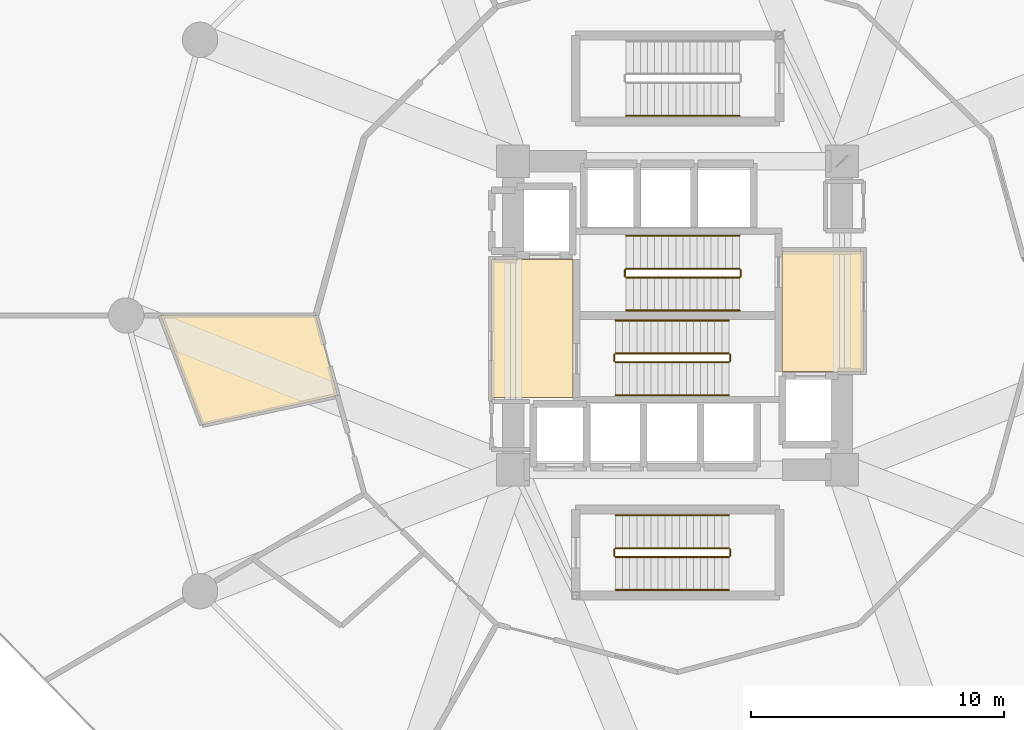
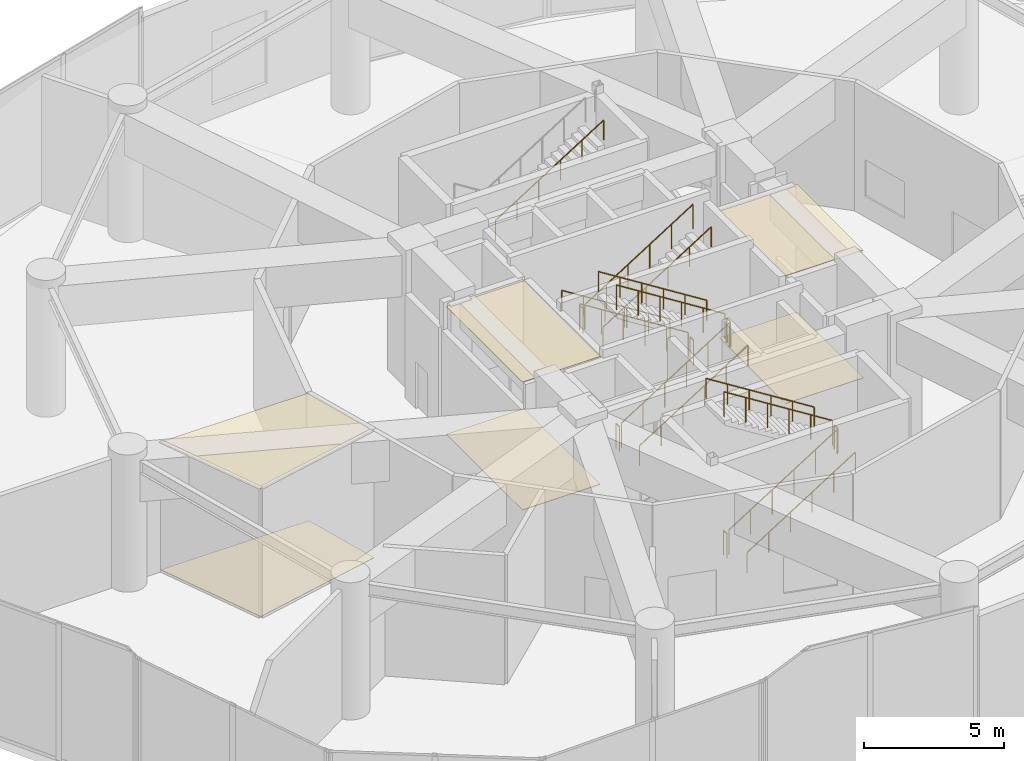
# One storey, part 26 of 28: 19 railings, 6 coverings.
"""IFC4 building model written with IfcOpenShell, lengths in metres."""

from ifc_helpers import new_model, si_unit, direction, frame, origin, origin_2d, place, context, subcontext, project, spatial, polyline, circle, outline, extrude, material, layer, layer_set, type_object, element, save


model = new_model("IFC4")

# Units and contexts
model_context = context("Model", 3, precision=1e-05, world=origin(), true_north=direction((0.0, 1.0)))
body_context = subcontext(model_context, "Body", "Model", "MODEL_VIEW")
ifc_project = project(units=[si_unit("LENGTHUNIT", "METRE"), si_unit("AREAUNIT", "SQUARE_METRE"), si_unit("VOLUMEUNIT", "CUBIC_METRE"), si_unit("PLANEANGLEUNIT", "RADIAN"), si_unit("MASSUNIT", "GRAM", prefix="KILO")], contexts=[model_context])

# Site, building, storey
site_placement = place(None, origin())
site = spatial("IfcSite", under=ifc_project, at=site_placement, CompositionType="ELEMENT")
building_placement = place(site_placement, origin())
building = spatial("IfcBuilding", under=site, at=building_placement, Name="Solvirekh Grand Hotel", CompositionType="ELEMENT")
storey_placement = place(building_placement, frame((0.0, 0.0, 12.60009765625)))
storey = spatial("IfcBuildingStorey", under=building, at=storey_placement, Name="L02", CompositionType="ELEMENT", Elevation=12.60009765625)

# Coverings
ifc_material_1 = material(Name="Acoustic Mineral Ceiling Tile")
ifc_layer_1 = layer(ifc_material_1, 0.02490234375)
ifc_layer_set_1 = layer_set([ifc_layer_1], Name="Acoustic Mineral Ceiling Tile")
covering_type_1 = type_object("IfcCoveringType", Name="Cov_Ceiling_Acoustic", PredefinedType="CEILING", material=ifc_layer_set_1)
covering_1_placement = place(storey_placement, frame((0.0, 0.0, 5.58984375)))
element("IfcCovering", 1, at=covering_1_placement, inside=storey, type_object=covering_type_1, Name="L02 Firefighting Lobby West acoustic ceiling", PredefinedType="CEILING", context=body_context, shape_type="SweptSolid", body=[
    extrude(outline(polyline([(-7.35009765625, -3.25), (-4.1298828125, -3.25), (-4.1298828125, 2.2099609375), (-7.35009765625, 2.2099609375), (-7.35009765625, -3.25)])), origin(), (0.0, 0.0, 1.0), 0.01806640625),
])
covering_2_placement = place(storey_placement, frame((0.0, 0.0, 5.58984375)))
element("IfcCovering", 2, at=covering_2_placement, inside=storey, type_object=covering_type_1, Name="L02 Firefighting Lobby East acoustic ceiling", PredefinedType="CEILING", context=body_context, shape_type="SweptSolid", body=[
    extrude(outline(polyline([(4.1298828125, -2.2099609375), (7.35009765625, -2.2099609375), (7.35009765625, 2.550048828125), (4.1298828125, 2.550048828125), (4.1298828125, -2.2099609375)])), origin(), (0.0, 0.0, 1.0), 0.01806640625),
])
covering_3_placement = place(storey_placement, frame((0.0, 0.0, 5.58984375)))
element("IfcCovering", 3, at=covering_3_placement, inside=storey, type_object=covering_type_1, Name="L02 Ballroom Accessible WC acoustic ceiling", PredefinedType="CEILING", context=body_context, shape_type="SweptSolid", body=[
    extrude(outline(polyline([(-20.43994140625, 0.0), (-18.794921875, -4.3310546875), (-13.43798828125, -3.172119140625), (-14.300048828125, 0.0), (-20.43994140625, 0.0)])), origin(), (0.0, 0.0, 1.0), 0.01806640625),
])
ifc_material_2 = material(Name="Porcelain Stoneware Flooring", Category="masonry")
ifc_layer_2 = layer(ifc_material_2, 0.030029296875)
ifc_layer_set_2 = layer_set([ifc_layer_2], Name="Porcelain Stoneware Flooring")
covering_type_2 = type_object("IfcCoveringType", Name="Cov_Floor_Stone", PredefinedType="FLOORING", material=ifc_layer_set_2)
covering_4_placement = place(storey_placement, origin())
element("IfcCovering", 4, at=covering_4_placement, inside=storey, type_object=covering_type_2, Name="L02 Firefighting Lobby West polished granite flooring", PredefinedType="FLOORING", context=body_context, shape_type="SweptSolid", body=[
    extrude(outline(polyline([(-7.35009765625, -3.25), (-4.1298828125, -3.25), (-4.1298828125, 2.2099609375), (-7.35009765625, 2.2099609375), (-7.35009765625, -3.25)])), origin(), (0.0, 0.0, 1.0), 0.02001953125),
])
covering_5_placement = place(storey_placement, origin())
element("IfcCovering", 5, at=covering_5_placement, inside=storey, type_object=covering_type_2, Name="L02 Firefighting Lobby East polished granite flooring", PredefinedType="FLOORING", context=body_context, shape_type="SweptSolid", body=[
    extrude(outline(polyline([(4.1298828125, -2.2099609375), (7.35009765625, -2.2099609375), (7.35009765625, 2.550048828125), (4.1298828125, 2.550048828125), (4.1298828125, -2.2099609375)])), origin(), (0.0, 0.0, 1.0), 0.02001953125),
])
covering_6_placement = place(storey_placement, origin())
element("IfcCovering", 6, at=covering_6_placement, inside=storey, type_object=covering_type_2, Name="L02 Ballroom Accessible WC polished granite flooring", PredefinedType="FLOORING", context=body_context, shape_type="SweptSolid", body=[
    extrude(outline(polyline([(-20.43994140625, 0.0), (-18.794921875, -4.3310546875), (-13.43798828125, -3.172119140625), (-14.300048828125, 0.0), (-20.43994140625, 0.0)])), origin(), (0.0, 0.0, 1.0), 0.02001953125),
])

# Railings
ifc_material_3 = material(Name="Steel S355", Category="steel")
railing_type_1 = type_object("IfcRailingType", Name="Guard_Stair_1100", PredefinedType="GUARDRAIL", material=ifc_material_3)
railing_1_placement = place(storey_placement, frame((-2.449951171875, -1.85009765625, 0.17626953125)))
element("IfcRailing", 7, at=railing_1_placement, inside=storey, type_object=railing_type_1, Name="L02 ST-1 stair guard 1", PredefinedType="GUARDRAIL", context=body_context, shape_type="SweptSolid", body=[
    extrude(circle(Radius=0.02392578125, at=origin_2d()), frame((0.0, 0.0, 1.076171875), z_axis=(0.845977142166, 0.0, 0.533219162196), x_axis=(0.0, 1.0, 0.0)), (0.0, 0.0, 1.0), 5.295654296875),
    extrude(circle(Radius=0.02099609375, at=origin_2d()), origin(), (0.0, 0.0, 1.0), 1.052001953125),
    extrude(circle(Radius=0.02099609375, at=origin_2d()), frame((0.89599609375, 0.0, 0.564697265625)), (0.0, 0.0, 1.0), 1.052001953125),
    extrude(circle(Radius=0.02099609375, at=origin_2d()), frame((1.7919921875, 0.0, 1.12939453125)), (0.0, 0.0, 1.0), 1.052001953125),
    extrude(circle(Radius=0.02099609375, at=origin_2d()), frame((2.68798828125, 0.0, 1.6943359375)), (0.0, 0.0, 1.0), 1.052001953125),
    extrude(circle(Radius=0.02099609375, at=origin_2d()), frame((3.583984375, 0.0, 2.259033203125)), (0.0, 0.0, 1.0), 1.052001953125),
    extrude(circle(Radius=0.02099609375, at=origin_2d()), frame((4.47998046875, 0.0, 2.82373046875)), (0.0, 0.0, 1.0), 1.052001953125),
])
railing_2_placement = place(storey_placement, frame((2.080078125, -1.800048828125, 3.0)))
element("IfcRailing", 8, at=railing_2_placement, inside=storey, type_object=railing_type_1, Name="L02 ST-1 stair guard 2", PredefinedType="GUARDRAIL", context=body_context, shape_type="SweptSolid", body=[
    extrude(circle(Radius=0.02392578125, at=origin_2d()), frame((0.0, 0.0, 1.076171875), z_axis=(0.0, 1.0, 0.0), x_axis=(-1.0, 0.0, 0.0)), (0.0, 0.0, 1.0), 0.25),
    extrude(circle(Radius=0.02099609375, at=origin_2d()), origin(), (0.0, 0.0, 1.0), 1.052001953125),
    extrude(circle(Radius=0.02099609375, at=origin_2d()), frame((0.0, 0.25, 0.0)), (0.0, 0.0, 1.0), 1.052001953125),
])
railing_3_placement = place(storey_placement, frame((2.030029296875, -1.5, 3.17626953125)))
element("IfcRailing", 9, at=railing_3_placement, inside=storey, type_object=railing_type_1, Name="L02 ST-1 stair guard 3", PredefinedType="GUARDRAIL", context=body_context, shape_type="SweptSolid", body=[
    extrude(circle(Radius=0.02392578125, at=origin_2d()), frame((0.0, 0.0, 1.076171875), z_axis=(-0.845977142166, 0.0, 0.533219162196), x_axis=(0.0, -1.0, 0.0)), (0.0, 0.0, 1.0), 5.295654296875),
    extrude(circle(Radius=0.02099609375, at=origin_2d()), origin(), (0.0, 0.0, 1.0), 1.052001953125),
    extrude(circle(Radius=0.02099609375, at=origin_2d()), frame((-0.89599609375, 0.0, 0.564697265625)), (0.0, 0.0, 1.0), 1.052001953125),
    extrude(circle(Radius=0.02099609375, at=origin_2d()), frame((-1.7919921875, 0.0, 1.12939453125)), (0.0, 0.0, 1.0), 1.052001953125),
    extrude(circle(Radius=0.02099609375, at=origin_2d()), frame((-2.68798828125, 0.0, 1.6943359375)), (0.0, 0.0, 1.0), 1.052001953125),
    extrude(circle(Radius=0.02099609375, at=origin_2d()), frame((-3.583984375, 0.0, 2.259033203125)), (0.0, 0.0, 1.0), 1.052001953125),
    extrude(circle(Radius=0.02099609375, at=origin_2d()), frame((-4.47998046875, 0.0, 2.82373046875)), (0.0, 0.0, 1.0), 1.052001953125),
])
railing_4_placement = place(storey_placement, frame((-2.5, -1.800048828125, 0.0)))
element("IfcRailing", 10, at=railing_4_placement, inside=storey, type_object=railing_type_1, Name="L02 ST-1 stair guard 4", PredefinedType="GUARDRAIL", context=body_context, shape_type="SweptSolid", body=[
    extrude(circle(Radius=0.02392578125, at=origin_2d()), frame((0.0, 0.0, 1.076171875), z_axis=(0.0, 1.0, 0.0), x_axis=(-1.0, 0.0, 0.0)), (0.0, 0.0, 1.0), 0.25),
    extrude(circle(Radius=0.02099609375, at=origin_2d()), origin(), (0.0, 0.0, 1.0), 1.052001953125),
    extrude(circle(Radius=0.02099609375, at=origin_2d()), frame((0.0, 0.25, 0.0)), (0.0, 0.0, 1.0), 1.052001953125),
])
railing_5_placement = place(storey_placement, frame((2.449951171875, 1.85009765625, 0.17626953125)))
element("IfcRailing", 11, at=railing_5_placement, inside=storey, type_object=railing_type_1, Name="L02 ST-2 stair guard 1", PredefinedType="GUARDRAIL", context=body_context, shape_type="SweptSolid", body=[
    extrude(circle(Radius=0.02392578125, at=origin_2d()), frame((0.0, 0.0, 1.076171875), z_axis=(-0.845977142166, 0.0, 0.533219162196), x_axis=(0.0, -1.0, 0.0)), (0.0, 0.0, 1.0), 5.295654296875),
    extrude(circle(Radius=0.02099609375, at=origin_2d()), origin(), (0.0, 0.0, 1.0), 1.052001953125),
    extrude(circle(Radius=0.02099609375, at=origin_2d()), frame((-0.89599609375, 0.0, 0.564697265625)), (0.0, 0.0, 1.0), 1.052001953125),
    extrude(circle(Radius=0.02099609375, at=origin_2d()), frame((-1.7919921875, 0.0, 1.12939453125)), (0.0, 0.0, 1.0), 1.052001953125),
    extrude(circle(Radius=0.02099609375, at=origin_2d()), frame((-2.68798828125, 0.0, 1.6943359375)), (0.0, 0.0, 1.0), 1.052001953125),
    extrude(circle(Radius=0.02099609375, at=origin_2d()), frame((-3.583984375, 0.0, 2.259033203125)), (0.0, 0.0, 1.0), 1.052001953125),
    extrude(circle(Radius=0.02099609375, at=origin_2d()), frame((-4.47998046875, 0.0, 2.82373046875)), (0.0, 0.0, 1.0), 1.052001953125),
])
railing_6_placement = place(storey_placement, frame((-2.080078125, 1.800048828125, 3.0)))
element("IfcRailing", 12, at=railing_6_placement, inside=storey, type_object=railing_type_1, Name="L02 ST-2 stair guard 2", PredefinedType="GUARDRAIL", context=body_context, shape_type="SweptSolid", body=[
    extrude(circle(Radius=0.02392578125, at=origin_2d()), frame((0.0, 0.0, 1.076171875), z_axis=(0.0, -1.0, 0.0), x_axis=(1.0, 0.0, 0.0)), (0.0, 0.0, 1.0), 0.25),
    extrude(circle(Radius=0.02099609375, at=origin_2d()), origin(), (0.0, 0.0, 1.0), 1.052001953125),
    extrude(circle(Radius=0.02099609375, at=origin_2d()), frame((0.0, -0.25, 0.0)), (0.0, 0.0, 1.0), 1.052001953125),
])
railing_7_placement = place(storey_placement, frame((-2.030029296875, 1.5, 3.17626953125)))
element("IfcRailing", 13, at=railing_7_placement, inside=storey, type_object=railing_type_1, Name="L02 ST-2 stair guard 3", PredefinedType="GUARDRAIL", context=body_context, shape_type="SweptSolid", body=[
    extrude(circle(Radius=0.02392578125, at=origin_2d()), frame((0.0, 0.0, 1.076171875), z_axis=(0.845977142166, 0.0, 0.533219162196), x_axis=(0.0, 1.0, 0.0)), (0.0, 0.0, 1.0), 5.295654296875),
    extrude(circle(Radius=0.02099609375, at=origin_2d()), origin(), (0.0, 0.0, 1.0), 1.052001953125),
    extrude(circle(Radius=0.02099609375, at=origin_2d()), frame((0.89599609375, 0.0, 0.564697265625)), (0.0, 0.0, 1.0), 1.052001953125),
    extrude(circle(Radius=0.02099609375, at=origin_2d()), frame((1.7919921875, 0.0, 1.12939453125)), (0.0, 0.0, 1.0), 1.052001953125),
    extrude(circle(Radius=0.02099609375, at=origin_2d()), frame((2.68798828125, 0.0, 1.6943359375)), (0.0, 0.0, 1.0), 1.052001953125),
    extrude(circle(Radius=0.02099609375, at=origin_2d()), frame((3.583984375, 0.0, 2.259033203125)), (0.0, 0.0, 1.0), 1.052001953125),
    extrude(circle(Radius=0.02099609375, at=origin_2d()), frame((4.47998046875, 0.0, 2.82373046875)), (0.0, 0.0, 1.0), 1.052001953125),
])
railing_8_placement = place(storey_placement, frame((2.5, 1.800048828125, 0.0)))
element("IfcRailing", 14, at=railing_8_placement, inside=storey, type_object=railing_type_1, Name="L02 ST-2 stair guard 4", PredefinedType="GUARDRAIL", context=body_context, shape_type="SweptSolid", body=[
    extrude(circle(Radius=0.02392578125, at=origin_2d()), frame((0.0, 0.0, 1.076171875), z_axis=(0.0, -1.0, 0.0), x_axis=(1.0, 0.0, 0.0)), (0.0, 0.0, 1.0), 0.25),
    extrude(circle(Radius=0.02099609375, at=origin_2d()), origin(), (0.0, 0.0, 1.0), 1.052001953125),
    extrude(circle(Radius=0.02099609375, at=origin_2d()), frame((0.0, -0.25, 0.0)), (0.0, 0.0, 1.0), 1.052001953125),
])
railing_9_placement = place(storey_placement, frame((-2.449951171875, -9.550048828125, 0.17626953125)))
element("IfcRailing", 15, at=railing_9_placement, inside=storey, type_object=railing_type_1, Name="L02 ST-3 stair guard 1", PredefinedType="GUARDRAIL", context=body_context, shape_type="SweptSolid", body=[
    extrude(circle(Radius=0.02392578125, at=origin_2d()), frame((0.0, 0.0, 1.076171875), z_axis=(0.845977142166, 0.0, 0.533219162196), x_axis=(0.0, 1.0, 0.0)), (0.0, 0.0, 1.0), 5.295654296875),
    extrude(circle(Radius=0.02099609375, at=origin_2d()), origin(), (0.0, 0.0, 1.0), 1.052001953125),
    extrude(circle(Radius=0.02099609375, at=origin_2d()), frame((0.89599609375, 0.0, 0.564697265625)), (0.0, 0.0, 1.0), 1.052001953125),
    extrude(circle(Radius=0.02099609375, at=origin_2d()), frame((1.7919921875, 0.0, 1.12939453125)), (0.0, 0.0, 1.0), 1.052001953125),
    extrude(circle(Radius=0.02099609375, at=origin_2d()), frame((2.68798828125, 0.0, 1.6943359375)), (0.0, 0.0, 1.0), 1.052001953125),
    extrude(circle(Radius=0.02099609375, at=origin_2d()), frame((3.583984375, 0.0, 2.259033203125)), (0.0, 0.0, 1.0), 1.052001953125),
    extrude(circle(Radius=0.02099609375, at=origin_2d()), frame((4.47998046875, 0.0, 2.82373046875)), (0.0, 0.0, 1.0), 1.052001953125),
])
railing_10_placement = place(storey_placement, frame((2.080078125, -9.5, 3.0)))
element("IfcRailing", 16, at=railing_10_placement, inside=storey, type_object=railing_type_1, Name="L02 ST-3 stair guard 2", PredefinedType="GUARDRAIL", context=body_context, shape_type="SweptSolid", body=[
    extrude(circle(Radius=0.02392578125, at=origin_2d()), frame((0.0, 0.0, 1.076171875), z_axis=(0.0, 1.0, 0.0), x_axis=(-1.0, 0.0, 0.0)), (0.0, 0.0, 1.0), 0.25),
    extrude(circle(Radius=0.02099609375, at=origin_2d()), origin(), (0.0, 0.0, 1.0), 1.052001953125),
    extrude(circle(Radius=0.02099609375, at=origin_2d()), frame((0.0, 0.25, 0.0)), (0.0, 0.0, 1.0), 1.052001953125),
])
railing_11_placement = place(storey_placement, frame((2.030029296875, -9.199951171875, 3.17626953125)))
element("IfcRailing", 17, at=railing_11_placement, inside=storey, type_object=railing_type_1, Name="L02 ST-3 stair guard 3", PredefinedType="GUARDRAIL", context=body_context, shape_type="SweptSolid", body=[
    extrude(circle(Radius=0.02392578125, at=origin_2d()), frame((0.0, 0.0, 1.076171875), z_axis=(-0.845977142166, 0.0, 0.533219162196), x_axis=(0.0, -1.0, 0.0)), (0.0, 0.0, 1.0), 5.295654296875),
    extrude(circle(Radius=0.02099609375, at=origin_2d()), origin(), (0.0, 0.0, 1.0), 1.052001953125),
    extrude(circle(Radius=0.02099609375, at=origin_2d()), frame((-0.89599609375, 0.0, 0.564697265625)), (0.0, 0.0, 1.0), 1.052001953125),
    extrude(circle(Radius=0.02099609375, at=origin_2d()), frame((-1.7919921875, 0.0, 1.12939453125)), (0.0, 0.0, 1.0), 1.052001953125),
    extrude(circle(Radius=0.02099609375, at=origin_2d()), frame((-2.68798828125, 0.0, 1.6943359375)), (0.0, 0.0, 1.0), 1.052001953125),
    extrude(circle(Radius=0.02099609375, at=origin_2d()), frame((-3.583984375, 0.0, 2.259033203125)), (0.0, 0.0, 1.0), 1.052001953125),
    extrude(circle(Radius=0.02099609375, at=origin_2d()), frame((-4.47998046875, 0.0, 2.82373046875)), (0.0, 0.0, 1.0), 1.052001953125),
])
railing_12_placement = place(storey_placement, frame((-2.5, -9.5, 0.0)))
element("IfcRailing", 18, at=railing_12_placement, inside=storey, type_object=railing_type_1, Name="L02 ST-3 stair guard 4", PredefinedType="GUARDRAIL", context=body_context, shape_type="SweptSolid", body=[
    extrude(circle(Radius=0.02392578125, at=origin_2d()), frame((0.0, 0.0, 1.076171875), z_axis=(0.0, 1.0, 0.0), x_axis=(-1.0, 0.0, 0.0)), (0.0, 0.0, 1.0), 0.25),
    extrude(circle(Radius=0.02099609375, at=origin_2d()), origin(), (0.0, 0.0, 1.0), 1.052001953125),
    extrude(circle(Radius=0.02099609375, at=origin_2d()), frame((0.0, 0.25, 0.0)), (0.0, 0.0, 1.0), 1.052001953125),
])
ifc_material_4 = material(Name="Anodized Bronze Aluminium 6063-T6", Category="aluminium")
railing_type_2 = type_object("IfcRailingType", Name="Handrail_Wall_900", PredefinedType="HANDRAIL", material=ifc_material_4)
railing_13_placement = place(storey_placement, frame((-2.449951171875, -3.14990234375, 0.17626953125)))
element("IfcRailing", 19, at=railing_13_placement, inside=storey, type_object=railing_type_2, Name="L02 ST-1 stair handrail 1", PredefinedType="HANDRAIL", context=body_context, shape_type="SweptSolid", body=[
    extrude(circle(Radius=0.02392578125, at=origin_2d()), frame((0.0, 0.0, 0.8759765625), z_axis=(0.845977142166, 0.0, 0.533219162196), x_axis=(0.0, 1.0, 0.0)), (0.0, 0.0, 1.0), 5.295654296875),
    extrude(circle(Radius=0.02099609375, at=origin_2d()), origin(), (0.0, 0.0, 1.0), 0.851806640625),
    extrude(circle(Radius=0.02099609375, at=origin_2d()), frame((0.89599609375, 0.0, 0.564697265625)), (0.0, 0.0, 1.0), 0.851806640625),
    extrude(circle(Radius=0.02099609375, at=origin_2d()), frame((1.7919921875, 0.0, 1.12939453125)), (0.0, 0.0, 1.0), 0.851806640625),
    extrude(circle(Radius=0.02099609375, at=origin_2d()), frame((2.68798828125, 0.0, 1.6943359375)), (0.0, 0.0, 1.0), 0.851806640625),
    extrude(circle(Radius=0.02099609375, at=origin_2d()), frame((3.583984375, 0.0, 2.259033203125)), (0.0, 0.0, 1.0), 0.851806640625),
    extrude(circle(Radius=0.02099609375, at=origin_2d()), frame((4.47998046875, 0.0, 2.82373046875)), (0.0, 0.0, 1.0), 0.851806640625),
])
for number, where, name in (
    (20, (2.030029296875, -0.199951171875, 3.17626953125), "L02 ST-1 stair handrail 2"),
    (21, (2.449951171875, 3.14990234375, 0.17626953125), "L02 ST-2 stair handrail 1"),
):
    element("IfcRailing", number, at=place(storey_placement, frame(where)), inside=storey, type_object=railing_type_2, Name=name, PredefinedType="HANDRAIL", context=body_context, shape_type="SweptSolid", body=[
        extrude(circle(Radius=0.02392578125, at=origin_2d()), frame((0.0, 0.0, 0.8759765625), z_axis=(-0.845977142166, 0.0, 0.533219162196), x_axis=(0.0, -1.0, 0.0)), (0.0, 0.0, 1.0), 5.295654296875),
        extrude(circle(Radius=0.02099609375, at=origin_2d()), origin(), (0.0, 0.0, 1.0), 0.851806640625),
        extrude(circle(Radius=0.02099609375, at=origin_2d()), frame((-0.89599609375, 0.0, 0.564697265625)), (0.0, 0.0, 1.0), 0.851806640625),
        extrude(circle(Radius=0.02099609375, at=origin_2d()), frame((-1.7919921875, 0.0, 1.12939453125)), (0.0, 0.0, 1.0), 0.851806640625),
        extrude(circle(Radius=0.02099609375, at=origin_2d()), frame((-2.68798828125, 0.0, 1.6943359375)), (0.0, 0.0, 1.0), 0.851806640625),
        extrude(circle(Radius=0.02099609375, at=origin_2d()), frame((-3.583984375, 0.0, 2.259033203125)), (0.0, 0.0, 1.0), 0.851806640625),
        extrude(circle(Radius=0.02099609375, at=origin_2d()), frame((-4.47998046875, 0.0, 2.82373046875)), (0.0, 0.0, 1.0), 0.851806640625),
    ])
for number, where, name in (
    (22, (-2.030029296875, 0.199951171875, 3.17626953125), "L02 ST-2 stair handrail 2"),
    (23, (-2.449951171875, -10.85009765625, 0.17626953125), "L02 ST-3 stair handrail 1"),
):
    element("IfcRailing", number, at=place(storey_placement, frame(where)), inside=storey, type_object=railing_type_2, Name=name, PredefinedType="HANDRAIL", context=body_context, shape_type="SweptSolid", body=[
        extrude(circle(Radius=0.02392578125, at=origin_2d()), frame((0.0, 0.0, 0.8759765625), z_axis=(0.845977142166, 0.0, 0.533219162196), x_axis=(0.0, 1.0, 0.0)), (0.0, 0.0, 1.0), 5.295654296875),
        extrude(circle(Radius=0.02099609375, at=origin_2d()), origin(), (0.0, 0.0, 1.0), 0.851806640625),
        extrude(circle(Radius=0.02099609375, at=origin_2d()), frame((0.89599609375, 0.0, 0.564697265625)), (0.0, 0.0, 1.0), 0.851806640625),
        extrude(circle(Radius=0.02099609375, at=origin_2d()), frame((1.7919921875, 0.0, 1.12939453125)), (0.0, 0.0, 1.0), 0.851806640625),
        extrude(circle(Radius=0.02099609375, at=origin_2d()), frame((2.68798828125, 0.0, 1.6943359375)), (0.0, 0.0, 1.0), 0.851806640625),
        extrude(circle(Radius=0.02099609375, at=origin_2d()), frame((3.583984375, 0.0, 2.259033203125)), (0.0, 0.0, 1.0), 0.851806640625),
        extrude(circle(Radius=0.02099609375, at=origin_2d()), frame((4.47998046875, 0.0, 2.82373046875)), (0.0, 0.0, 1.0), 0.851806640625),
    ])
railing_14_placement = place(storey_placement, frame((2.030029296875, -7.89990234375, 3.17626953125)))
element("IfcRailing", 24, at=railing_14_placement, inside=storey, type_object=railing_type_2, Name="L02 ST-3 stair handrail 2", PredefinedType="HANDRAIL", context=body_context, shape_type="SweptSolid", body=[
    extrude(circle(Radius=0.02392578125, at=origin_2d()), frame((0.0, 0.0, 0.8759765625), z_axis=(-0.845977142166, 0.0, 0.533219162196), x_axis=(0.0, -1.0, 0.0)), (0.0, 0.0, 1.0), 5.295654296875),
    extrude(circle(Radius=0.02099609375, at=origin_2d()), origin(), (0.0, 0.0, 1.0), 0.851806640625),
    extrude(circle(Radius=0.02099609375, at=origin_2d()), frame((-0.89599609375, 0.0, 0.564697265625)), (0.0, 0.0, 1.0), 0.851806640625),
    extrude(circle(Radius=0.02099609375, at=origin_2d()), frame((-1.7919921875, 0.0, 1.12939453125)), (0.0, 0.0, 1.0), 0.851806640625),
    extrude(circle(Radius=0.02099609375, at=origin_2d()), frame((-2.68798828125, 0.0, 1.6943359375)), (0.0, 0.0, 1.0), 0.851806640625),
    extrude(circle(Radius=0.02099609375, at=origin_2d()), frame((-3.583984375, 0.0, 2.259033203125)), (0.0, 0.0, 1.0), 0.851806640625),
    extrude(circle(Radius=0.02099609375, at=origin_2d()), frame((-4.47998046875, 0.0, 2.82373046875)), (0.0, 0.0, 1.0), 0.851806640625),
])
railing_15_placement = place(storey_placement, frame((-2.030029296875, 7.89990234375, 3.17626953125)))
element("IfcRailing", 25, at=railing_15_placement, inside=storey, type_object=railing_type_2, Name="L02 ST-4 stair handrail 2", PredefinedType="HANDRAIL", context=body_context, shape_type="SweptSolid", body=[
    extrude(circle(Radius=0.02392578125, at=origin_2d()), frame((0.0, 0.0, 0.8759765625), z_axis=(0.845977142166, 0.0, 0.533219162196), x_axis=(0.0, 1.0, 0.0)), (0.0, 0.0, 1.0), 5.295654296875),
    extrude(circle(Radius=0.02099609375, at=origin_2d()), origin(), (0.0, 0.0, 1.0), 0.851806640625),
    extrude(circle(Radius=0.02099609375, at=origin_2d()), frame((0.89599609375, 0.0, 0.564697265625)), (0.0, 0.0, 1.0), 0.851806640625),
    extrude(circle(Radius=0.02099609375, at=origin_2d()), frame((1.7919921875, 0.0, 1.12939453125)), (0.0, 0.0, 1.0), 0.851806640625),
    extrude(circle(Radius=0.02099609375, at=origin_2d()), frame((2.68798828125, 0.0, 1.6943359375)), (0.0, 0.0, 1.0), 0.851806640625),
    extrude(circle(Radius=0.02099609375, at=origin_2d()), frame((3.583984375, 0.0, 2.259033203125)), (0.0, 0.0, 1.0), 0.851806640625),
    extrude(circle(Radius=0.02099609375, at=origin_2d()), frame((4.47998046875, 0.0, 2.82373046875)), (0.0, 0.0, 1.0), 0.851806640625),
])

save(model, "model.ifc")
